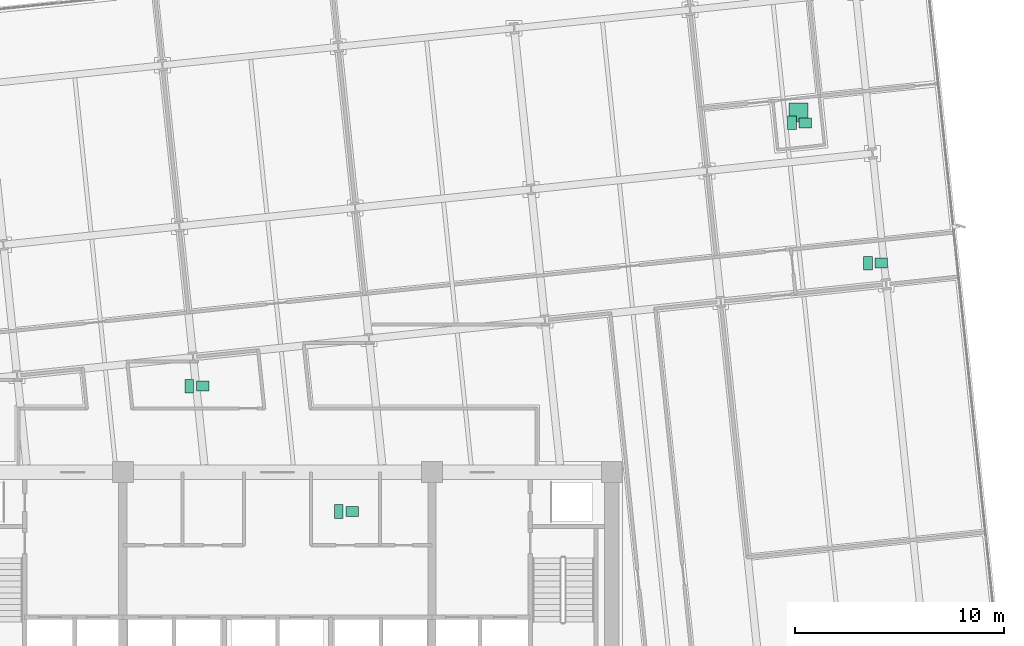
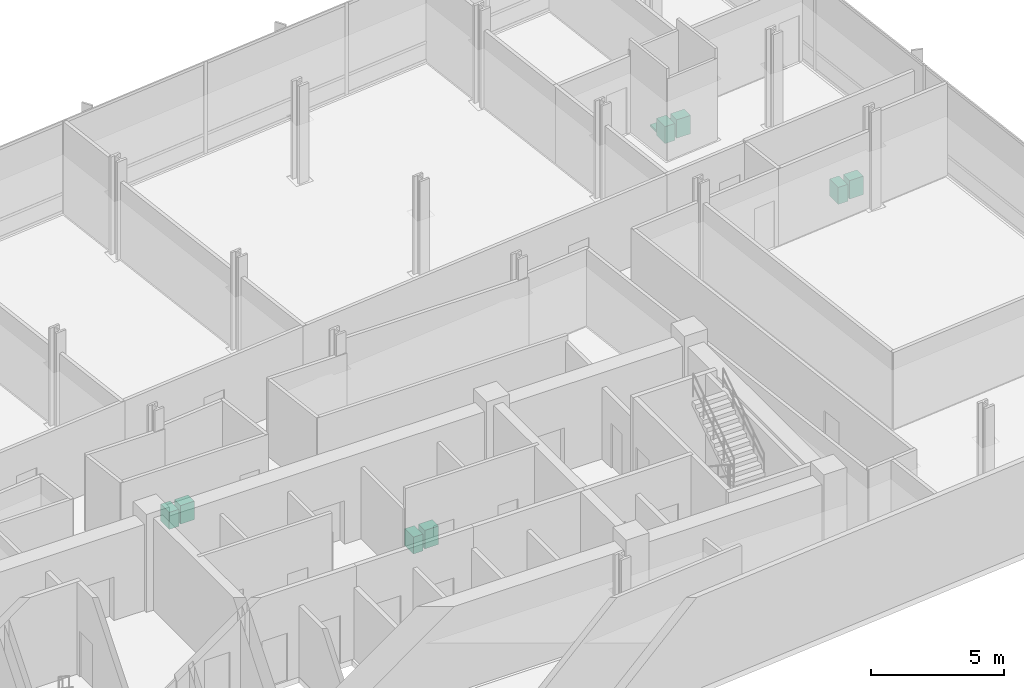
# One storey, part 20 of 20: 9 sanitary terminals.
"""IFC4 building model written with IfcOpenShell, lengths in metres."""

from ifc_helpers import new_model, si_unit, direction, frame, origin, origin_2d, place, context, subcontext, project, spatial, rectangle, extrude, material, type_object, element, save


model = new_model("IFC4")

# Units and contexts
model_context = context("Model", 3, precision=1e-05, world=origin(), true_north=direction((0.0, 1.0)))
body_context = subcontext(model_context, "Body", "Model", "MODEL_VIEW")
ifc_project = project(units=[si_unit("LENGTHUNIT", "METRE"), si_unit("AREAUNIT", "SQUARE_METRE"), si_unit("VOLUMEUNIT", "CUBIC_METRE"), si_unit("PLANEANGLEUNIT", "RADIAN"), si_unit("MASSUNIT", "GRAM", prefix="KILO")], contexts=[model_context])

# Site, building, storey
site_placement = place(None, origin())
site = spatial("IfcSite", under=ifc_project, at=site_placement, CompositionType="ELEMENT")
building_placement = place(site_placement, origin())
building = spatial("IfcBuilding", under=site, at=building_placement, Name="Solmavex Isthmus Hotel", CompositionType="ELEMENT")
storey_placement = place(building_placement, frame((0.0, 0.0, 97.35009765625)))
storey = spatial("IfcBuildingStorey", under=building, at=storey_placement, Name="L26", CompositionType="ELEMENT", Elevation=97.35009765625)

# Sanitary terminals
ifc_material = material(Name="Vitreous china ceramic", Category="ceramic")
sanitary_terminal_type_1 = type_object("IfcSanitaryTerminalType", Name="SAN-BASIN", PredefinedType="WASHHANDBASIN", material=ifc_material)
for number, where, z_axis, x_axis, name in (
    (1, (3.570068359375, -4.385009765625, -0.000244140625), (0.0, 0.0, 1.0), (1.0, 0.0, 0.0), "Vanity Washbasin L26-121"),
    (2, (25.264404296875, 14.217529296875, -0.000244140625), (0.0, 0.0, 1.0), (1.0, 0.0, 0.0), "Vanity Washbasin L26-122"),
    (3, (-3.58349609375, 1.6162109375, -0.000244140625), (0.0, 0.0, 1.0), (1.0, 0.0, 0.0), "Vanity Washbasin L26-123"),
    (4, (28.9111328125, 7.50390625, -0.000244140625), (0.0, 0.0, 1.0), (1.0, 0.0, 0.0), "Vanity Washbasin L26-124"),
):
    element("IfcSanitaryTerminal", number, at=place(storey_placement, frame(where, z_axis=z_axis, x_axis=x_axis)), inside=storey, type_object=sanitary_terminal_type_1, Name=name, PredefinedType="WASHHANDBASIN", context=body_context, shape_type="SweptSolid", body=[
        extrude(rectangle(XDim=0.60009765625, YDim=0.47998046875, at=origin_2d()), origin(), (0.0, 0.0, 1.0), 0.85009765625),
    ])
sanitary_terminal_type_2 = type_object("IfcSanitaryTerminalType", Name="SAN-SHOWER", PredefinedType="SHOWER", material=ifc_material)
sanitary_terminal_placement = place(storey_placement, frame((24.944580078125, 14.717529296875, -0.000244140625), z_axis=(0.0, 0.0, 1.0), x_axis=(1.0, 0.0, 0.0)))
element("IfcSanitaryTerminal", 5, at=sanitary_terminal_placement, inside=storey, type_object=sanitary_terminal_type_2, Name="Walk-In Shower L26-122", PredefinedType="SHOWER", context=body_context, shape_type="SweptSolid", body=[
    extrude(rectangle(XDim=0.89990234375, YDim=0.89990234375, at=origin_2d()), origin(), (0.0, 0.0, 1.0), 0.080078125),
])
sanitary_terminal_type_3 = type_object("IfcSanitaryTerminalType", Name="SAN-WC-SUITE", PredefinedType="TOILETPAN", material=ifc_material)
for number, where, z_axis, x_axis, name in (
    (6, (2.929931640625, -4.385009765625, 0.0), (0.0, 0.0, 1.0), (1.0, 0.0, 0.0), "Water Closet L26-121"),
    (7, (24.62451171875, 14.217529296875, 0.0), (0.0, 0.0, 1.0), (1.0, 0.0, 0.0), "Water Closet L26-122"),
    (8, (-4.223388671875, 1.6162109375, 0.0), (0.0, 0.0, 1.0), (1.0, 0.0, 0.0), "Water Closet L26-123"),
    (9, (28.271240234375, 7.50390625, 0.0), (0.0, 0.0, 1.0), (1.0, 0.0, 0.0), "Water Closet L26-124"),
):
    element("IfcSanitaryTerminal", number, at=place(storey_placement, frame(where, z_axis=z_axis, x_axis=x_axis)), inside=storey, type_object=sanitary_terminal_type_3, Name=name, PredefinedType="TOILETPAN", context=body_context, shape_type="SweptSolid", body=[
        extrude(rectangle(XDim=0.419921875, YDim=0.64990234375, at=origin_2d()), origin(), (0.0, 0.0, 1.0), 0.780029296875),
    ])

save(model, "model.ifc")
